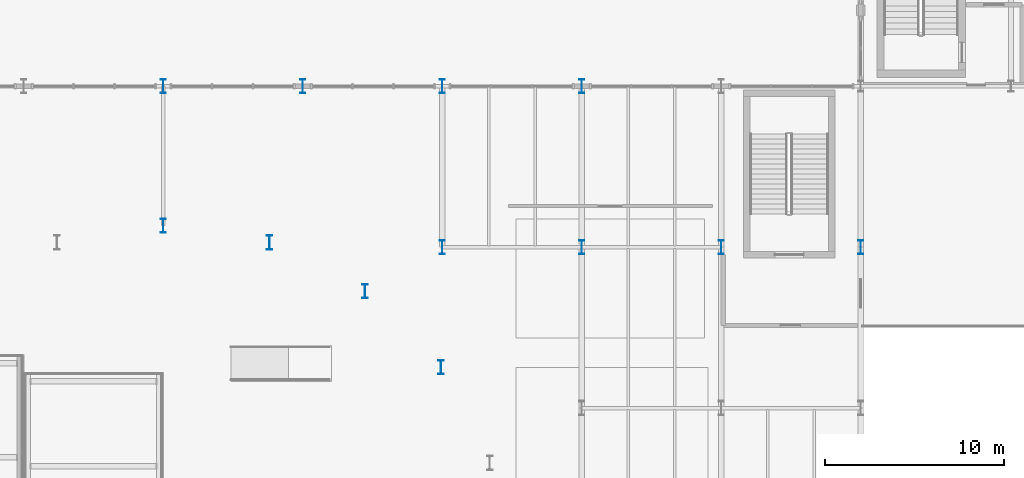
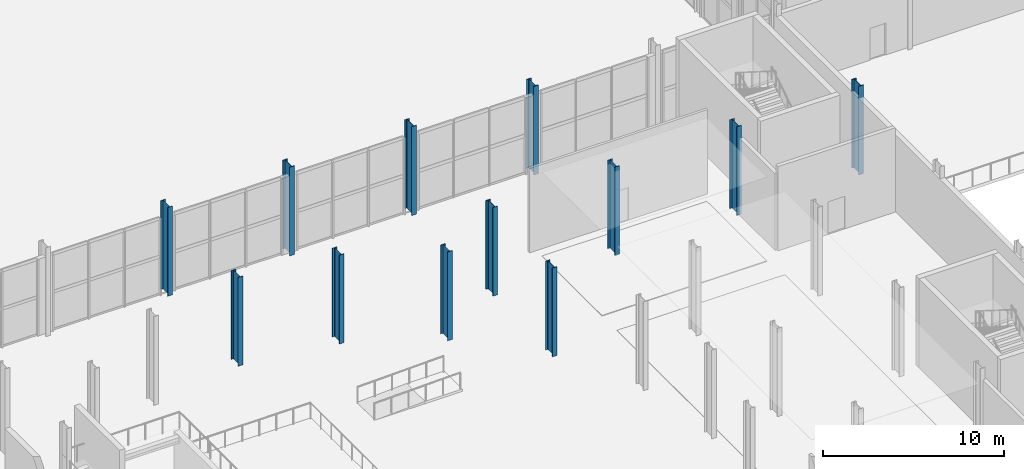
# One storey, part 6 of 84: 12 columns.
"""IFC4 building model written with IfcOpenShell, lengths in metres."""

from ifc_helpers import new_model, si_unit, direction, frame, origin, origin_2d, place, context, subcontext, project, spatial, i_section, extrude, material, material_profile, profile_set, type_object, element, save


model = new_model("IFC4")

# Units and contexts
model_context = context("Model", 3, precision=1e-05, world=origin(), true_north=direction((0.0, 1.0)))
body_context = subcontext(model_context, "Body", "Model", "MODEL_VIEW")
ifc_project = project(units=[si_unit("LENGTHUNIT", "METRE"), si_unit("AREAUNIT", "SQUARE_METRE"), si_unit("VOLUMEUNIT", "CUBIC_METRE"), si_unit("PLANEANGLEUNIT", "RADIAN"), si_unit("MASSUNIT", "GRAM", prefix="KILO")], contexts=[model_context])

# Site, building, storey
site_placement = place(None, origin())
site = spatial("IfcSite", under=ifc_project, at=site_placement, CompositionType="ELEMENT")
building_placement = place(site_placement, origin())
building = spatial("IfcBuilding", under=site, at=building_placement, Name="Sefraquen Railside Congress Hotel", CompositionType="ELEMENT")
storey_placement = place(building_placement, origin())
storey = spatial("IfcBuildingStorey", under=building, at=storey_placement, Name="L00", CompositionType="ELEMENT", Elevation=0.0)

# Columns
ifc_material = material(Name="Steel S355JR", Category="steel")
ifc_material_profile = material_profile(ifc_material, i_section(OverallWidth=0.300048828125, OverallDepth=0.800048828125, WebThickness=0.017578125, FlangeThickness=0.032958984375, FilletRadius=0.030029296875, at=origin_2d()), Name="HEB 800")
ifc_profile_set = profile_set([ifc_material_profile], Name="Steel S355JR")
column_type = type_object("IfcColumnType", Name="TC-HEB-800", PredefinedType="COLUMN", material=ifc_profile_set)
for number, where, z_axis, x_axis, name in (
    (1, (64.199951171875, 54.0, 0.0), (0.0, 0.0, 1.0), (1.0, 0.0, 0.0), "Structural column 9-G L00"),
    (2, (72.0, 54.0, 0.0), (0.0, 0.0, 1.0), (1.0, 0.0, 0.0), "Structural column 10-G L00"),
    (3, (79.800048828125, 45.0, 0.0), (0.0, 0.0, 1.0), (1.0, 0.0, 0.0), "Structural column 11-F L00"),
    (4, (79.800048828125, 54.0, 0.0), (0.0, 0.0, 1.0), (1.0, 0.0, 0.0), "Structural column 11-G L00"),
    (5, (87.60009765625, 45.0, 0.0), (0.0, 0.0, 1.0), (1.0, 0.0, 0.0), "Structural column 12-F L00"),
    (6, (87.60009765625, 54.0, 0.0), (0.0, 0.0, 1.0), (1.0, 0.0, 0.0), "Structural column 12-G L00"),
    (7, (95.39990234375, 45.0, 0.0), (0.0, 0.0, 1.0), (1.0, 0.0, 0.0), "Structural column 13-F L00"),
    (8, (103.199951171875, 45.0, 0.0), (0.0, 0.0, 1.0), (1.0, 0.0, 0.0), "Structural column 14-F L00"),
    (9, (79.733154296875, 38.285400390625, 0.0), (0.0, 0.0, 1.0), (1.0, 0.0, 0.0), "Structural column DRM-03 L00"),
    (10, (75.485595703125, 42.533203125, 0.0), (0.0, 0.0, 1.0), (1.0, 0.0, 0.0), "Structural column DRM-04 L00"),
    (11, (70.133056640625, 45.26025390625, 0.0), (0.0, 0.0, 1.0), (1.0, 0.0, 0.0), "Structural column DRM-05 L00"),
    (12, (64.199951171875, 46.199951171875, 0.0), (0.0, 0.0, 1.0), (1.0, 0.0, 0.0), "Structural column DRM-06 L00"),
):
    element("IfcColumn", number, at=place(storey_placement, frame(where, z_axis=z_axis, x_axis=x_axis)), inside=storey, type_object=column_type, Name=name, PredefinedType="COLUMN", context=body_context, shape_type="SweptSolid", body=[
        extrude(i_section(OverallWidth=0.300048828125, OverallDepth=0.800048828125, WebThickness=0.017578125, FlangeThickness=0.032958984375, FilletRadius=0.030029296875, at=origin_2d()), origin(), (0.0, 0.0, 1.0), 6.0),
    ])

save(model, "model.ifc")
